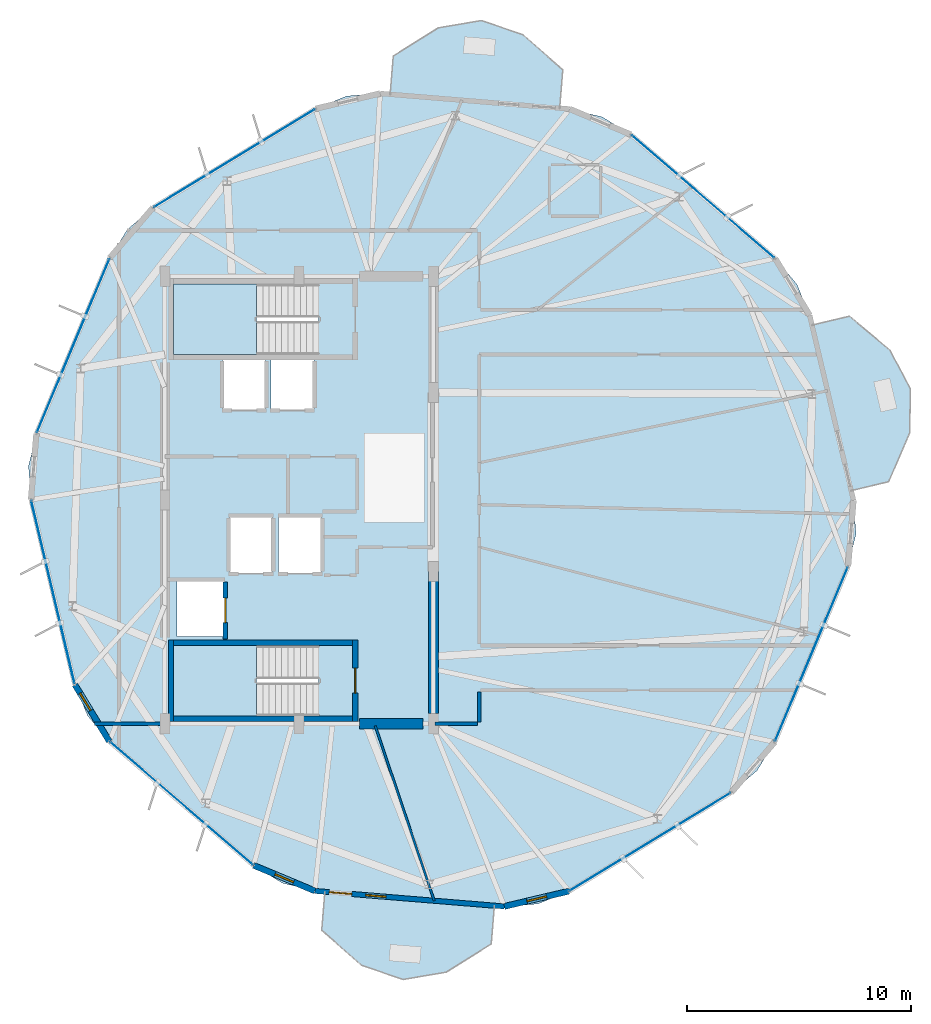
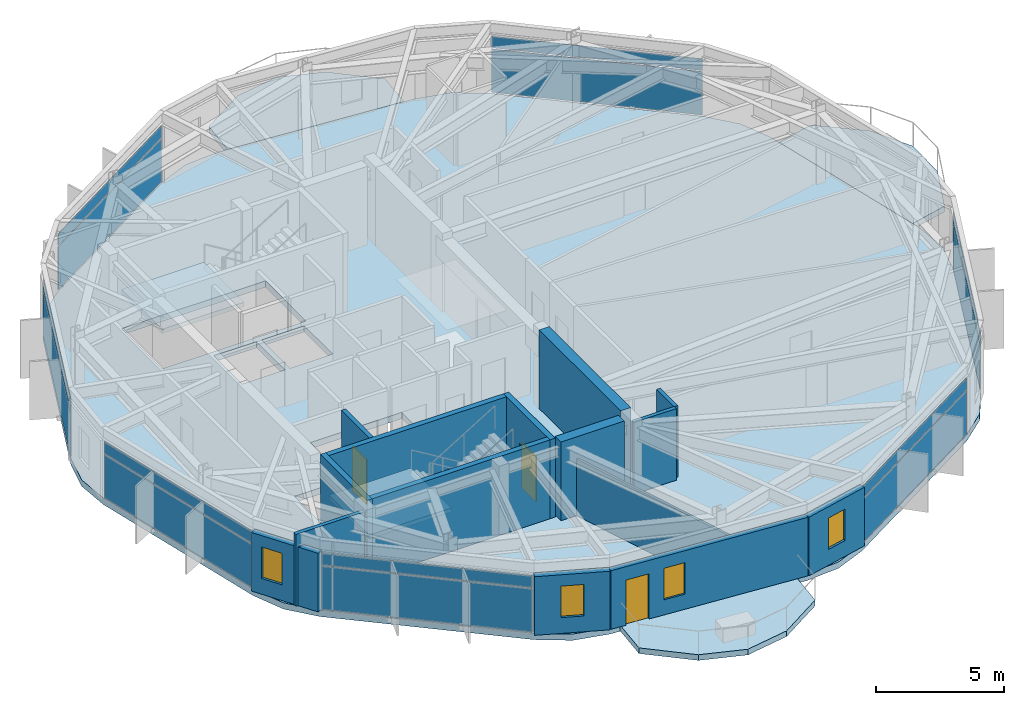
# One storey, part 17 of 23: 15 walls, 14 plates, 6 slabs, 4 windows, 3 doors, 7 openings, 9 elements without a shape of their own.
"""IFC4 building model written with IfcOpenShell, lengths in metres."""

from ifc_helpers import new_model, si_unit, direction, frame, frame_2d, origin, origin_2d, place, context, subcontext, project, spatial, polyline, rectangle, outline, extrude, material, layer, layer_set, type_object, element, fill, aggregate, save


model = new_model("IFC4")

# Units and contexts
model_context = context("Model", 3, precision=1e-05, world=origin(), true_north=direction((0.0, 1.0)))
body_context = subcontext(model_context, "Body", "Model", "MODEL_VIEW")
ifc_project = project(units=[si_unit("LENGTHUNIT", "METRE"), si_unit("AREAUNIT", "SQUARE_METRE"), si_unit("VOLUMEUNIT", "CUBIC_METRE"), si_unit("PLANEANGLEUNIT", "RADIAN"), si_unit("MASSUNIT", "GRAM", prefix="KILO")], contexts=[model_context])

# Site, building, storey
site_placement = place(None, origin())
site = spatial("IfcSite", under=ifc_project, at=site_placement, CompositionType="ELEMENT")
building_placement = place(site_placement, origin())
building = spatial("IfcBuilding", under=site, at=building_placement, Name="Soratama Intermodal Tower", CompositionType="ELEMENT")
storey_placement = place(building_placement, frame((0.0, 0.0, 280.0)))
storey = spatial("IfcBuildingStorey", under=building, at=storey_placement, Name="L71", CompositionType="ELEMENT", Elevation=280.0)

# Curtain wall, plates
ifc_material_1 = material(Name="Double-glazed aluminium curtain wall", Category="aluminium")
ifc_layer_1 = layer(ifc_material_1, 0.159912109375)
ifc_layer_set_1 = layer_set([ifc_layer_1], Name="Double-glazed aluminium curtain wall")
curtain_wall_type = type_object("IfcCurtainWallType", Name="CW-SYS-5", PredefinedType="NOTDEFINED", material=ifc_layer_set_1)
curtain_wall_1_placement = place(storey_placement, origin())
curtain_wall_1 = element("IfcCurtainWall", 1, at=curtain_wall_1_placement, inside=storey, type_object=curtain_wall_type, Name="L71 Faceted Curtain Wall F02", PredefinedType="NOTDEFINED")
ifc_material_2 = material(Name="Low-E laminated double glazing", Category="glass")
ifc_layer_2 = layer(ifc_material_2, 0.02001953125)
ifc_layer_set_2 = layer_set([ifc_layer_2], Name="Low-E laminated double glazing")
plate_type = type_object("IfcPlateType", Name="PT-CWP-5", PredefinedType="CURTAIN_PANEL", material=ifc_layer_set_2)
plate_1_placement = place(storey_placement, frame((35.705810546875, 40.2744140625, 0.06005859375), z_axis=(0.0, 0.0, 1.0), x_axis=(-0.854280104944, -0.519812949336, 0.0)))
plate_1 = element("IfcPlate", 2, at=plate_1_placement, type_object=plate_type, Name="CW-5 panel 1.1", PredefinedType="CURTAIN_PANEL", context=body_context, shape_type="SweptSolid", body=[
    extrude(rectangle(XDim=8.3798828125, YDim=0.028076171875, at=origin_2d()), origin(), (0.0, 0.0, 1.0), 2.06005859375),
])
plate_2_placement = place(storey_placement, frame((35.705810546875, 40.2744140625, 2.18017578125), z_axis=(0.0, 0.0, 1.0), x_axis=(-0.854280104944, -0.519812949336, 0.0)))
plate_2 = element("IfcPlate", 3, at=plate_2_placement, type_object=plate_type, Name="CW-5 panel 1.2", PredefinedType="CURTAIN_PANEL", context=body_context, shape_type="SweptSolid", body=[
    extrude(rectangle(XDim=8.3798828125, YDim=0.028076171875, at=origin_2d()), origin(), (0.0, 0.0, 1.0), 0.549072265625),
])
aggregate(curtain_wall_1, [plate_1, plate_2])

curtain_wall_2_placement = place(storey_placement, origin())
curtain_wall_2 = element("IfcCurtainWall", 4, at=curtain_wall_2_placement, inside=storey, type_object=curtain_wall_type, Name="L71 Faceted Curtain Wall F03", PredefinedType="NOTDEFINED")
plate_3_placement = place(storey_placement, frame((28.502685546875, 31.894287109375, 0.06005859375), z_axis=(0.0, 0.0, 1.0), x_axis=(-0.385582539838, -0.922673346842, 0.0)))
plate_3 = element("IfcPlate", 5, at=plate_3_placement, type_object=plate_type, Name="CW-5 panel 1.1", PredefinedType="CURTAIN_PANEL", context=body_context, shape_type="SweptSolid", body=[
    extrude(rectangle(XDim=8.3798828125, YDim=0.028076171875, at=origin_2d()), origin(), (0.0, 0.0, 1.0), 2.06005859375),
])
plate_4_placement = place(storey_placement, frame((28.502685546875, 31.894287109375, 2.18017578125), z_axis=(0.0, 0.0, 1.0), x_axis=(-0.385582539838, -0.922673346842, 0.0)))
plate_4 = element("IfcPlate", 6, at=plate_4_placement, type_object=plate_type, Name="CW-5 panel 1.2", PredefinedType="CURTAIN_PANEL", context=body_context, shape_type="SweptSolid", body=[
    extrude(rectangle(XDim=8.3798828125, YDim=0.028076171875, at=origin_2d()), origin(), (0.0, 0.0, 1.0), 0.549072265625),
])
aggregate(curtain_wall_2, [plate_3, plate_4])

curtain_wall_3_placement = place(storey_placement, origin())
curtain_wall_3 = element("IfcCurtainWall", 7, at=curtain_wall_3_placement, inside=storey, type_object=curtain_wall_type, Name="L71 Faceted Curtain Wall F04", PredefinedType="NOTDEFINED")
plate_5_placement = place(storey_placement, frame((27.60107421875, 20.880615234375, 0.06005859375), z_axis=(0.0, 0.0, 1.0), x_axis=(0.230394558711, -0.973097295915, 0.0)))
plate_5 = element("IfcPlate", 8, at=plate_5_placement, type_object=plate_type, Name="CW-5 panel 1.1", PredefinedType="CURTAIN_PANEL", context=body_context, shape_type="SweptSolid", body=[
    extrude(rectangle(XDim=8.3798828125, YDim=0.028076171875, at=origin_2d()), origin(), (0.0, 0.0, 1.0), 2.06005859375),
])
plate_6_placement = place(storey_placement, frame((27.60107421875, 20.880615234375, 2.18017578125), z_axis=(0.0, 0.0, 1.0), x_axis=(0.230394558711, -0.973097295915, 0.0)))
plate_6 = element("IfcPlate", 9, at=plate_6_placement, type_object=plate_type, Name="CW-5 panel 1.2", PredefinedType="CURTAIN_PANEL", context=body_context, shape_type="SweptSolid", body=[
    extrude(rectangle(XDim=8.3798828125, YDim=0.028076171875, at=origin_2d()), origin(), (0.0, 0.0, 1.0), 0.549072265625),
])
aggregate(curtain_wall_3, [plate_5, plate_6])

curtain_wall_4_placement = place(storey_placement, origin())
curtain_wall_4 = element("IfcCurtainWall", 10, at=curtain_wall_4_placement, inside=storey, type_object=curtain_wall_type, Name="L71 Faceted Curtain Wall F05", PredefinedType="NOTDEFINED")
plate_7_placement = place(storey_placement, frame((33.34521484375, 11.440673828125, 0.06005859375), z_axis=(0.0, 0.0, 1.0), x_axis=(0.758368958093, -0.651825531412, 0.0)))
plate_7 = element("IfcPlate", 11, at=plate_7_placement, type_object=plate_type, Name="CW-5 panel 1.1", PredefinedType="CURTAIN_PANEL", context=body_context, shape_type="SweptSolid", body=[
    extrude(rectangle(XDim=8.3798828125, YDim=0.028076171875, at=origin_2d()), origin(), (0.0, 0.0, 1.0), 2.06005859375),
])
plate_8_placement = place(storey_placement, frame((33.34521484375, 11.440673828125, 2.18017578125), z_axis=(0.0, 0.0, 1.0), x_axis=(0.758368958093, -0.651825531412, 0.0)))
plate_8 = element("IfcPlate", 12, at=plate_8_placement, type_object=plate_type, Name="CW-5 panel 1.2", PredefinedType="CURTAIN_PANEL", context=body_context, shape_type="SweptSolid", body=[
    extrude(rectangle(XDim=8.3798828125, YDim=0.028076171875, at=origin_2d()), origin(), (0.0, 0.0, 1.0), 0.549072265625),
])
aggregate(curtain_wall_4, [plate_7, plate_8])

curtain_wall_5_placement = place(storey_placement, origin())
curtain_wall_5 = element("IfcCurtainWall", 13, at=curtain_wall_5_placement, inside=storey, type_object=curtain_wall_type, Name="L71 Faceted Curtain Wall F07", PredefinedType="NOTDEFINED")
plate_9_placement = place(storey_placement, frame((54.294189453125, 9.7255859375, 0.06005859375), z_axis=(0.0, 0.0, 1.0), x_axis=(0.854280104944, 0.519812949336, 0.0)))
plate_9 = element("IfcPlate", 14, at=plate_9_placement, type_object=plate_type, Name="CW-5 panel 1.1", PredefinedType="CURTAIN_PANEL", context=body_context, shape_type="SweptSolid", body=[
    extrude(rectangle(XDim=8.3798828125, YDim=0.028076171875, at=origin_2d()), origin(), (0.0, 0.0, 1.0), 2.06005859375),
])
plate_10_placement = place(storey_placement, frame((54.294189453125, 9.7255859375, 2.18017578125), z_axis=(0.0, 0.0, 1.0), x_axis=(0.854280104944, 0.519812949336, 0.0)))
plate_10 = element("IfcPlate", 15, at=plate_10_placement, type_object=plate_type, Name="CW-5 panel 1.2", PredefinedType="CURTAIN_PANEL", context=body_context, shape_type="SweptSolid", body=[
    extrude(rectangle(XDim=8.3798828125, YDim=0.028076171875, at=origin_2d()), origin(), (0.0, 0.0, 1.0), 0.549072265625),
])
aggregate(curtain_wall_5, [plate_9, plate_10])

curtain_wall_6_placement = place(storey_placement, origin())
curtain_wall_6 = element("IfcCurtainWall", 16, at=curtain_wall_6_placement, inside=storey, type_object=curtain_wall_type, Name="L71 Faceted Curtain Wall F08", PredefinedType="NOTDEFINED")
plate_11_placement = place(storey_placement, frame((61.497314453125, 18.105712890625, 0.06005859375), z_axis=(0.0, 0.0, 1.0), x_axis=(0.385582539838, 0.922673346842, 0.0)))
plate_11 = element("IfcPlate", 17, at=plate_11_placement, type_object=plate_type, Name="CW-5 panel 1.1", PredefinedType="CURTAIN_PANEL", context=body_context, shape_type="SweptSolid", body=[
    extrude(rectangle(XDim=8.3798828125, YDim=0.028076171875, at=origin_2d()), origin(), (0.0, 0.0, 1.0), 2.06005859375),
])
plate_12_placement = place(storey_placement, frame((61.497314453125, 18.105712890625, 2.18017578125), z_axis=(0.0, 0.0, 1.0), x_axis=(0.385582539838, 0.922673346842, 0.0)))
plate_12 = element("IfcPlate", 18, at=plate_12_placement, type_object=plate_type, Name="CW-5 panel 1.2", PredefinedType="CURTAIN_PANEL", context=body_context, shape_type="SweptSolid", body=[
    extrude(rectangle(XDim=8.3798828125, YDim=0.028076171875, at=origin_2d()), origin(), (0.0, 0.0, 1.0), 0.549072265625),
])
aggregate(curtain_wall_6, [plate_11, plate_12])

curtain_wall_7_placement = place(storey_placement, origin())
curtain_wall_7 = element("IfcCurtainWall", 19, at=curtain_wall_7_placement, inside=storey, type_object=curtain_wall_type, Name="L71 Faceted Curtain Wall F10", PredefinedType="NOTDEFINED")
plate_13_placement = place(storey_placement, frame((56.65478515625, 38.559326171875, 0.06005859375), z_axis=(0.0, 0.0, 1.0), x_axis=(-0.758368958093, 0.651825531412, 0.0)))
plate_13 = element("IfcPlate", 20, at=plate_13_placement, type_object=plate_type, Name="CW-5 panel 1.1", PredefinedType="CURTAIN_PANEL", context=body_context, shape_type="SweptSolid", body=[
    extrude(rectangle(XDim=8.3798828125, YDim=0.028076171875, at=origin_2d()), origin(), (0.0, 0.0, 1.0), 2.06005859375),
])
plate_14_placement = place(storey_placement, frame((56.65478515625, 38.559326171875, 2.18017578125), z_axis=(0.0, 0.0, 1.0), x_axis=(-0.758368958093, 0.651825531412, 0.0)))
plate_14 = element("IfcPlate", 21, at=plate_14_placement, type_object=plate_type, Name="CW-5 panel 1.2", PredefinedType="CURTAIN_PANEL", context=body_context, shape_type="SweptSolid", body=[
    extrude(rectangle(XDim=8.3798828125, YDim=0.028076171875, at=origin_2d()), origin(), (0.0, 0.0, 1.0), 0.549072265625),
])
aggregate(curtain_wall_7, [plate_13, plate_14])

# Slabs
ifc_material_3 = material(Name="Concrete f'c 42 MPa", Category="concrete")
ifc_layer_3 = layer(ifc_material_3, 0.27001953125)
ifc_layer_set_3 = layer_set([ifc_layer_3], Name="Concrete f'c 42 MPa")
slab_type_1 = type_object("IfcSlabType", Name="SL-EXT-BAL1", PredefinedType="FLOOR", material=ifc_layer_set_3)
slab_1_placement = place(storey_placement, frame((0.0, 0.0, -0.27001953125)))
element("IfcSlab", 22, at=slab_1_placement, inside=storey, type_object=slab_type_1, Name="L71 Planted Balcony East 1", PredefinedType="FLOOR", context=body_context, shape_type="SweptSolid", body=[
    extrude(outline(polyline([(63.2744140625, 25.421630859375), (61.5234375, 32.81689453125), (63.197021484375, 33.21337890625), (65.011962890625, 31.6904296875), (65.92138671875, 29.953369140625), (65.887451171875, 27.992919921875), (64.947998046875, 25.818115234375), (63.2744140625, 25.421630859375)])), origin(), (0.0, 0.0, 1.0), 0.27001953125),
])
slab_2_placement = place(storey_placement, frame((0.0, 0.0, -0.27001953125)))
element("IfcSlab", 23, at=slab_2_placement, inside=storey, type_object=slab_type_1, Name="L71 Planted Balcony North 2", PredefinedType="FLOOR", context=body_context, shape_type="SweptSolid", body=[
    extrude(outline(polyline([(50.24609375, 42.51025390625), (42.671630859375, 43.13037109375), (42.81201171875, 44.844482421875), (44.821044921875, 46.10009765625), (46.754150390625, 46.42822265625), (48.6083984375, 45.7900390625), (50.386474609375, 44.224609375), (50.24609375, 42.51025390625)])), origin(), (0.0, 0.0, 1.0), 0.27001953125),
])
slab_3_placement = place(storey_placement, frame((0.0, 0.0, -0.27001953125)))
element("IfcSlab", 24, at=slab_3_placement, inside=storey, type_object=slab_type_1, Name="L71 Planted Balcony South 3", PredefinedType="FLOOR", context=body_context, shape_type="SweptSolid", body=[
    extrude(outline(polyline([(39.75390625, 7.48974609375), (47.328369140625, 6.86962890625), (47.18798828125, 5.155517578125), (45.178955078125, 3.89990234375), (43.245849609375, 3.57177734375), (41.3916015625, 4.2099609375), (39.613525390625, 5.775390625), (39.75390625, 7.48974609375)])), origin(), (0.0, 0.0, 1.0), 0.27001953125),
])

# Stair, slab
ifc_material_4 = material(Name="Concrete f'c 42 MPa", Category="concrete")
stair_type = type_object("IfcStairType", Name="ST-CORE-DOGLEG", PredefinedType="HALF_TURN_STAIR", material=ifc_material_4)
stair_1_placement = place(storey_placement, origin())
stair_1 = element("IfcStair", 25, at=stair_1_placement, inside=storey, type_object=stair_type, Name="L71 ST-1", PredefinedType="HALF_TURN_STAIR")
ifc_material_5 = material(Name="Concrete f'c 42 MPa", Category="concrete")
ifc_layer_4 = layer(ifc_material_5, 0.219970703125)
ifc_layer_set_4 = layer_set([ifc_layer_4], Name="Concrete f'c 42 MPa")
slab_type_2 = type_object("IfcSlabType", Name="SL-STAIR-LAND", PredefinedType="LANDING", material=ifc_layer_set_4)
slab_4_placement = place(storey_placement, frame((0.0, 0.0, 1.675048828125)))
slab_4 = element("IfcSlab", 26, at=slab_4_placement, type_object=slab_type_2, Name="ST-1 landing 1", PredefinedType="LANDING", context=body_context, shape_type="SweptSolid", body=[
    extrude(outline(polyline([(36.699951171875, 18.5), (33.0, 18.5), (33.0, 15.35009765625), (36.699951171875, 15.35009765625), (36.699951171875, 18.5)])), origin(), (0.0, 0.0, 1.0), 0.199951171875),
])
aggregate(stair_1, [slab_4])

stair_2_placement = place(storey_placement, origin())
stair_2 = element("IfcStair", 27, at=stair_2_placement, inside=storey, type_object=stair_type, Name="L71 ST-2", PredefinedType="HALF_TURN_STAIR")
slab_5_placement = place(storey_placement, frame((0.0, 0.0, 1.675048828125)))
slab_5 = element("IfcSlab", 28, at=slab_5_placement, type_object=slab_type_2, Name="ST-2 landing 1", PredefinedType="LANDING", context=body_context, shape_type="SweptSolid", body=[
    extrude(outline(polyline([(36.699951171875, 34.64990234375), (33.0, 34.64990234375), (33.0, 31.5), (36.699951171875, 31.5), (36.699951171875, 34.64990234375)])), origin(), (0.0, 0.0, 1.0), 0.199951171875),
])
aggregate(stair_2, [slab_5])

# Slab
ifc_material_6 = material(Name="Concrete f'c 42 MPa", Category="concrete")
ifc_layer_5 = layer(ifc_material_6, 0.280029296875)
ifc_layer_set_5 = layer_set([ifc_layer_5], Name="Concrete f'c 42 MPa")
slab_type_3 = type_object("IfcSlabType", Name="SL-TWR-280", PredefinedType="FLOOR", material=ifc_layer_set_5)
slab_6_placement = place(storey_placement, frame((0.0, 0.0, -0.300048828125)))
element("IfcSlab", 29, at=slab_6_placement, inside=storey, type_object=slab_type_3, Name="L71 Structural Floor Slab", PredefinedType="FLOOR", context=body_context, shape_type="SweptSolid", body=[
    extrude(outline(polyline([(53.431640625, 41.32958984375), (52.15380859375, 42.118408203125), (50.694580078125, 42.473388671875), (42.22314453125, 43.1669921875), (40.7255859375, 43.053955078125), (39.336181640625, 42.4833984375), (32.0751953125, 38.065185546875), (30.93017578125, 37.093505859375), (30.141357421875, 35.8154296875), (26.864013671875, 27.972900390625), (26.5087890625, 26.513671875), (26.6220703125, 25.01611328125), (28.580322265625, 16.7451171875), (29.150634765625, 15.355712890625), (30.122314453125, 14.210693359375), (36.568359375, 8.67041015625), (37.84619140625, 7.881591796875), (39.305419921875, 7.526611328125), (47.77685546875, 6.8330078125), (49.2744140625, 6.946044921875), (50.663818359375, 7.5166015625), (57.9248046875, 11.934814453125), (59.06982421875, 12.906494140625), (59.858642578125, 14.1845703125), (63.135986328125, 22.027099609375), (63.4912109375, 23.486328125), (63.3779296875, 24.98388671875), (61.419677734375, 33.2548828125), (60.849365234375, 34.644287109375), (59.877685546875, 35.789306640625), (53.431640625, 41.32958984375)]), holes=[polyline([(33.0, 15.35009765625), (39.47509765625, 15.35009765625), (39.47509765625, 18.5), (33.0, 18.5), (33.0, 15.35009765625)]), polyline([(35.260009765625, 21.409912109375), (33.139892578125, 21.409912109375), (33.139892578125, 18.889892578125), (35.260009765625, 18.889892578125), (35.260009765625, 21.409912109375)]), polyline([(37.409912109375, 24.260009765625), (35.489990234375, 24.260009765625), (35.489990234375, 21.739990234375), (37.409912109375, 21.739990234375), (37.409912109375, 24.260009765625)]), polyline([(39.610107421875, 24.260009765625), (37.68994140625, 24.260009765625), (37.68994140625, 21.739990234375), (39.610107421875, 21.739990234375), (39.610107421875, 24.260009765625)]), polyline([(37.110107421875, 31.260009765625), (35.18994140625, 31.260009765625), (35.18994140625, 29.0400390625), (37.110107421875, 29.0400390625), (37.110107421875, 31.260009765625)]), polyline([(39.260009765625, 31.260009765625), (37.340087890625, 31.260009765625), (37.340087890625, 29.0400390625), (39.260009765625, 29.0400390625), (39.260009765625, 31.260009765625)]), polyline([(33.0, 34.64990234375), (33.0, 31.5), (39.47509765625, 31.5), (39.47509765625, 34.64990234375), (33.0, 34.64990234375)])]), origin(), (0.0, 0.0, 1.0), 0.300048828125),
])

# Wall, openings, door, window
ifc_material_7 = material(Name="Concrete f'c 42 MPa", Category="concrete")
ifc_layer_6 = layer(ifc_material_7, 0.22998046875)
ifc_layer_set_6 = layer_set([ifc_layer_6], Name="Concrete f'c 42 MPa")
wall_type_1 = type_object("IfcWallType", Name="EW-BAL-230", PredefinedType="SOLIDWALL", material=ifc_layer_set_6)
wall_1_placement = place(storey_placement, frame((39.305419921875, 7.526611328125, 0.0), z_axis=(0.0, 0.0, 1.0), x_axis=(0.996664954759, -0.081602499682, 0.0)))
wall_1 = element("IfcWall", 30, at=wall_1_placement, inside=storey, type_object=wall_type_1, Name="L71 Terrace Wall F06", PredefinedType="SOLIDWALL", context=body_context, shape_type="SweptSolid", body=[
    extrude(rectangle(XDim=8.499755859375, YDim=0.22998046875, at=frame_2d((4.25, 0.0))), origin(), (0.0, 0.0, 1.0), 2.7890625),
])
opening_1_placement = place(wall_1_placement, frame((0.64990234375, 0.0, 0.0)))
opening_1 = element("IfcOpeningElement", 31, at=opening_1_placement, cuts=wall_1, Name="Opening ED-2", PredefinedType="OPENING", context=body_context, shape_type="SweptSolid", body=[
    extrude(rectangle(XDim=1.0, YDim=2.14990234375, at=frame_2d((0.5, 1.074951171875))), frame((0.0, 0.125, 0.0), z_axis=(0.0, -1.0, 0.0), x_axis=(1.0, 0.0, 0.0)), (0.0, 0.0, 1.0), 0.25),
])
opening_2_placement = place(wall_1_placement, frame((2.2900390625, 0.0, 0.719970703125)))
opening_2 = element("IfcOpeningElement", 32, at=opening_2_placement, cuts=wall_1, Name="Opening WN-6", PredefinedType="OPENING", context=body_context, shape_type="SweptSolid", body=[
    extrude(rectangle(XDim=0.89990234375, YDim=1.5, at=frame_2d((0.449951171875, 0.75))), frame((0.0, 0.125, 0.0), z_axis=(0.0, -1.0, 0.0), x_axis=(1.0, 0.0, 0.0)), (0.0, 0.0, 1.0), 0.25),
])
ifc_material_8 = material(Name="Double-glazed aluminium door", Category="aluminium")
door_type_1 = type_object("IfcDoorType", Name="DR-BAL-1000", OperationType="NOTDEFINED", PredefinedType="DOOR", material=ifc_material_8)
door_1_placement = place(opening_1_placement, origin())
door_1 = element("IfcDoor", 33, at=door_1_placement, inside=storey, type_object=door_type_1, Name="L71 Balcony Door F06", OperationType="SINGLE_SWING_RIGHT", OverallHeight=2.14990234375, OverallWidth=1.0, PredefinedType="DOOR", context=body_context, shape_type="SweptSolid", body=[
    extrude(rectangle(XDim=1.0, YDim=2.14990234375, at=frame_2d((0.5, 1.074951171875))), frame((0.0, 0.02490234375, 0.0), z_axis=(0.0, -1.0, 0.0), x_axis=(1.0, 0.0, 0.0)), (0.0, 0.0, 1.0), 0.050048828125),
])
fill(opening_1, door_1)
ifc_material_9 = material(Name="Double-glazed aluminium window", Category="aluminium")
window_type = type_object("IfcWindowType", Name="WN-FAC-900", PartitioningType="SINGLE_PANEL", PredefinedType="WINDOW", material=ifc_material_9)
window_1_placement = place(opening_2_placement, origin())
window_1 = element("IfcWindow", 34, at=window_1_placement, inside=storey, type_object=window_type, Name="L71 Window B F06", OverallHeight=1.5, OverallWidth=0.89990234375, PartitioningType="SINGLE_PANEL", PredefinedType="WINDOW", context=body_context, shape_type="SweptSolid", body=[
    extrude(rectangle(XDim=0.89990234375, YDim=1.5, at=frame_2d((0.449951171875, 0.75))), frame((0.0, 0.030029296875, 0.0), z_axis=(0.0, -1.0, 0.0), x_axis=(1.0, 0.0, 0.0)), (0.0, 0.0, 1.0), 0.06005859375),
])
fill(opening_2, window_1)

# Wall, opening, window
ifc_material_10 = material(Name="Concrete f'c 42 MPa", Category="concrete")
ifc_layer_7 = layer(ifc_material_10, 0.27001953125)
ifc_layer_set_7 = layer_set([ifc_layer_7], Name="Concrete f'c 42 MPa")
wall_type_2 = type_object("IfcWallType", Name="EW-CRN-270", PredefinedType="SOLIDWALL", material=ifc_layer_set_7)
wall_2_placement = place(storey_placement, frame((28.580322265625, 16.7451171875, 0.0), z_axis=(0.0, 0.0, 1.0), x_axis=(0.51977462781, -0.854303421675, 0.0)))
wall_2 = element("IfcWall", 35, at=wall_2_placement, inside=storey, type_object=wall_type_2, Name="L71 Corner Closure Wall 04", PredefinedType="SOLIDWALL", context=body_context, shape_type="SweptSolid", body=[
    extrude(rectangle(XDim=2.966552734375, YDim=0.27001953125, at=frame_2d((1.4833984375, 0.0))), origin(), (0.0, 0.0, 1.0), 2.7890625),
])
opening_3_placement = place(wall_2_placement, frame((0.449951171875, 0.0, 0.75)))
opening_3 = element("IfcOpeningElement", 36, at=opening_3_placement, cuts=wall_2, Name="Opening WN-6", PredefinedType="OPENING", context=body_context, shape_type="SweptSolid", body=[
    extrude(rectangle(XDim=0.89990234375, YDim=1.5, at=frame_2d((0.449951171875, 0.75))), frame((0.0, 0.14501953125, 0.0), z_axis=(0.0, -1.0, 0.0), x_axis=(1.0, 0.0, 0.0)), (0.0, 0.0, 1.0), 0.2900390625),
])
window_2_placement = place(opening_3_placement, origin())
window_2 = element("IfcWindow", 37, at=window_2_placement, inside=storey, type_object=window_type, Name="L71 Corner Window 04", OverallHeight=1.5, OverallWidth=0.89990234375, PartitioningType="SINGLE_PANEL", PredefinedType="WINDOW", context=body_context, shape_type="SweptSolid", body=[
    extrude(rectangle(XDim=0.89990234375, YDim=1.5, at=frame_2d((0.449951171875, 0.75))), frame((0.0, 0.030029296875, 0.0), z_axis=(0.0, -1.0, 0.0), x_axis=(1.0, 0.0, 0.0)), (0.0, 0.0, 1.0), 0.06005859375),
])
fill(opening_3, window_2)

wall_3_placement = place(storey_placement, frame((36.568359375, 8.67041015625, 0.0), z_axis=(0.0, 0.0, 1.0), x_axis=(0.922674655035, -0.385579409405, 0.0)))
wall_3 = element("IfcWall", 38, at=wall_3_placement, inside=storey, type_object=wall_type_2, Name="L71 Corner Closure Wall 05", PredefinedType="SOLIDWALL", context=body_context, shape_type="SweptSolid", body=[
    extrude(rectangle(XDim=2.966552734375, YDim=0.27001953125, at=frame_2d((1.4833984375, 0.0))), origin(), (0.0, 0.0, 1.0), 2.7890625),
])
opening_4_placement = place(wall_3_placement, frame((1.033203125, 0.0, 0.75)))
opening_4 = element("IfcOpeningElement", 39, at=opening_4_placement, cuts=wall_3, Name="Opening WN-6", PredefinedType="OPENING", context=body_context, shape_type="SweptSolid", body=[
    extrude(rectangle(XDim=0.89990234375, YDim=1.5, at=frame_2d((0.449951171875, 0.75))), frame((0.0, 0.14501953125, 0.0), z_axis=(0.0, -1.0, 0.0), x_axis=(1.0, 0.0, 0.0)), (0.0, 0.0, 1.0), 0.2900390625),
])
window_3_placement = place(opening_4_placement, origin())
window_3 = element("IfcWindow", 40, at=window_3_placement, inside=storey, type_object=window_type, Name="L71 Corner Window 05", OverallHeight=1.5, OverallWidth=0.89990234375, PartitioningType="SINGLE_PANEL", PredefinedType="WINDOW", context=body_context, shape_type="SweptSolid", body=[
    extrude(rectangle(XDim=0.89990234375, YDim=1.5, at=frame_2d((0.449951171875, 0.75))), frame((0.0, 0.030029296875, 0.0), z_axis=(0.0, -1.0, 0.0), x_axis=(1.0, 0.0, 0.0)), (0.0, 0.0, 1.0), 0.06005859375),
])
fill(opening_4, window_3)

wall_4_placement = place(storey_placement, frame((47.77685546875, 6.8330078125, 0.0), z_axis=(0.0, 0.0, 1.0), x_axis=(0.973092427452, 0.230415120242, 0.0)))
wall_4 = element("IfcWall", 41, at=wall_4_placement, inside=storey, type_object=wall_type_2, Name="L71 Corner Closure Wall 06", PredefinedType="SOLIDWALL", context=body_context, shape_type="SweptSolid", body=[
    extrude(rectangle(XDim=2.966796875, YDim=0.27001953125, at=frame_2d((1.4833984375, 0.0))), origin(), (0.0, 0.0, 1.0), 2.7890625),
])
opening_5_placement = place(wall_4_placement, frame((1.033203125, 0.0, 0.75)))
opening_5 = element("IfcOpeningElement", 42, at=opening_5_placement, cuts=wall_4, Name="Opening WN-6", PredefinedType="OPENING", context=body_context, shape_type="SweptSolid", body=[
    extrude(rectangle(XDim=0.89990234375, YDim=1.5, at=frame_2d((0.449951171875, 0.75))), frame((0.0, 0.14501953125, 0.0), z_axis=(0.0, -1.0, 0.0), x_axis=(1.0, 0.0, 0.0)), (0.0, 0.0, 1.0), 0.2900390625),
])
window_4_placement = place(opening_5_placement, origin())
window_4 = element("IfcWindow", 43, at=window_4_placement, inside=storey, type_object=window_type, Name="L71 Corner Window 06", OverallHeight=1.5, OverallWidth=0.89990234375, PartitioningType="SINGLE_PANEL", PredefinedType="WINDOW", context=body_context, shape_type="SweptSolid", body=[
    extrude(rectangle(XDim=0.89990234375, YDim=1.5, at=frame_2d((0.449951171875, 0.75))), frame((0.0, 0.030029296875, 0.0), z_axis=(0.0, -1.0, 0.0), x_axis=(1.0, 0.0, 0.0)), (0.0, 0.0, 1.0), 0.06005859375),
])
fill(opening_5, window_4)

# Walls
ifc_material_11 = material(Name="Fire-rated gypsum stud partition", Category="concrete")
ifc_layer_8 = layer(ifc_material_11, 0.169921875)
ifc_layer_set_8 = layer_set([ifc_layer_8], Name="Fire-rated gypsum stud partition")
wall_type_3 = type_object("IfcWallType", Name="IW-PART-R170", PredefinedType="PARTITIONING", material=ifc_layer_set_8)
wall_5_placement = place(storey_placement, frame((32.530029296875, 15.0, 0.0), z_axis=(0.0, 0.0, 1.0), x_axis=(-1.0, 0.0, 0.0)))
element("IfcWall", 44, at=wall_5_placement, inside=storey, type_object=wall_type_3, Name="L71 Partition W-L71-TP019", PredefinedType="PARTITIONING", context=body_context, shape_type="SweptSolid", body=[
    extrude(rectangle(XDim=3.0771484375, YDim=0.169921875, at=frame_2d((1.53857421875, 0.0))), origin(), (0.0, 0.0, 1.0), 3.409912109375),
])
wall_6_placement = place(storey_placement, frame((46.580078125, 15.0, 0.0), z_axis=(0.0, 0.0, 1.0), x_axis=(-1.0, 0.0, 0.0)))
element("IfcWall", 45, at=wall_6_placement, inside=storey, type_object=wall_type_3, Name="L71 Partition W-L71-TP029", PredefinedType="PARTITIONING", context=body_context, shape_type="SweptSolid", body=[
    extrude(rectangle(XDim=1.91015625, YDim=0.169921875, at=frame_2d((0.955078125, 0.0))), origin(), (0.0, 0.0, 1.0), 3.409912109375),
])
wall_7_placement = place(storey_placement, frame((46.64990234375, 16.429931640625, 0.0), z_axis=(0.0, 0.0, 1.0), x_axis=(0.0, -1.0, 0.0)))
element("IfcWall", 46, at=wall_7_placement, inside=storey, type_object=wall_type_3, Name="L71 Partition W-L71-TP034", PredefinedType="PARTITIONING", context=body_context, shape_type="SweptSolid", body=[
    extrude(rectangle(XDim=1.35986328125, YDim=0.169921875, at=frame_2d((0.679931640625, 0.0))), origin(), (0.0, 0.0, 1.0), 3.409912109375),
])
ifc_material_12 = material(Name="Fire-rated gypsum stud partition", Category="concrete")
ifc_layer_9 = layer(ifc_material_12, 0.10009765625)
ifc_layer_set_9 = layer_set([ifc_layer_9], Name="Fire-rated gypsum stud partition")
wall_type_4 = type_object("IfcWallType", Name="IW-PART-S100", PredefinedType="PARTITIONING", material=ifc_layer_set_9)
wall_8_placement = place(storey_placement, frame((42.0048828125, 14.907958984375, 0.0), z_axis=(0.0, 0.0, 1.0), x_axis=(0.31974079099, -0.947505053589, 0.0)))
element("IfcWall", 47, at=wall_8_placement, inside=storey, type_object=wall_type_4, Name="L71 Partition W-L71-TP011", PredefinedType="PARTITIONING", context=body_context, shape_type="SweptSolid", body=[
    extrude(rectangle(XDim=8.2509765625, YDim=0.10009765625, at=frame_2d((4.12548828125, 0.0))), origin(), (0.0, 0.0, 1.0), 2.705078125),
])

# Wall, opening, door
ifc_material_13 = material(Name="Concrete f'c 42 MPa", Category="concrete")
ifc_layer_10 = layer(ifc_material_13, 0.18505859375)
ifc_layer_set_10 = layer_set([ifc_layer_10], Name="Concrete f'c 42 MPa")
wall_type_5 = type_object("IfcWallType", Name="IW-SHAFT-185", PredefinedType="SOLIDWALL", material=ifc_layer_set_10)
wall_9_placement = place(storey_placement, frame((35.300048828125, 18.7900390625, 0.0), z_axis=(0.0, 0.0, 1.0), x_axis=(0.0, 1.0, 0.0)))
wall_9 = element("IfcWall", 48, at=wall_9_placement, inside=storey, type_object=wall_type_5, Name="L71 SVL-1 Hoistway Wall E", PredefinedType="SOLIDWALL", context=body_context, shape_type="SweptSolid", body=[
    extrude(rectangle(XDim=2.550048828125, YDim=0.18505859375, at=frame_2d((1.27490234375, 0.0))), origin(), (0.0, 0.0, 1.0), 3.409912109375),
])
opening_6_placement = place(wall_9_placement, frame((0.72509765625, 0.0, 0.0)))
opening_6 = element("IfcOpeningElement", 49, at=opening_6_placement, cuts=wall_9, Name="Opening LD-1", PredefinedType="OPENING", context=body_context, shape_type="SweptSolid", body=[
    extrude(rectangle(XDim=1.10009765625, YDim=2.14990234375, at=frame_2d((0.550048828125, 1.074951171875))), frame((0.0, 0.1025390625, 0.0), z_axis=(0.0, -1.0, 0.0), x_axis=(1.0, 0.0, 0.0)), (0.0, 0.0, 1.0), 0.205078125),
])
ifc_material_14 = material(Name="Steel fire door", Category="steel")
door_type_2 = type_object("IfcDoorType", Name="DR-LIFT-SLIDE", OperationType="NOTDEFINED", PredefinedType="DOOR", material=ifc_material_14)
door_2_placement = place(opening_6_placement, origin())
door_2 = element("IfcDoor", 50, at=door_2_placement, inside=storey, type_object=door_type_2, Name="L71 SVL-1 Sliding Landing Door", OperationType="SLIDING_TO_LEFT", OverallHeight=2.14990234375, OverallWidth=1.10009765625, PredefinedType="DOOR", context=body_context, shape_type="SweptSolid", body=[
    extrude(rectangle(XDim=1.10009765625, YDim=2.14990234375, at=frame_2d((0.550048828125, 1.074951171875))), frame((0.0, 0.02490234375, 0.0), z_axis=(0.0, -1.0, 0.0), x_axis=(1.0, 0.0, 0.0)), (0.0, 0.0, 1.0), 0.050048828125),
])
fill(opening_6, door_2)

# Walls
ifc_material_15 = material(Name="Concrete f'c 56 MPa", Category="concrete")
ifc_layer_11 = layer(ifc_material_15, 0.449951171875)
ifc_layer_set_11 = layer_set([ifc_layer_11], Name="Concrete f'c 56 MPa")
wall_type_6 = type_object("IfcWallType", Name="SW-CORE-450", PredefinedType="SHEAR", material=ifc_layer_set_11)
wall_10_placement = place(storey_placement, frame((41.300048828125, 15.0, 0.0), z_axis=(0.0, 0.0, 1.0), x_axis=(1.0, 0.0, 0.0)))
element("IfcWall", 51, at=wall_10_placement, inside=storey, type_object=wall_type_6, Name="L71 Core Shear Wall CW-SE", PredefinedType="SHEAR", context=body_context, shape_type="SweptSolid", body=[
    extrude(rectangle(XDim=2.849853515625, YDim=0.449951171875, at=frame_2d((1.4248046875, 0.0))), origin(), (0.0, 0.0, 1.0), 3.75),
])
wall_11_placement = place(storey_placement, frame((44.60009765625, 15.449951171875, 0.0), z_axis=(0.0, 0.0, 1.0), x_axis=(0.0, 1.0, 0.0)))
element("IfcWall", 52, at=wall_11_placement, inside=storey, type_object=wall_type_6, Name="L71 Core Shear Wall CW-ES", PredefinedType="SHEAR", context=body_context, shape_type="SweptSolid", body=[
    extrude(rectangle(XDim=6.35009765625, YDim=0.449951171875, at=frame_2d((3.175048828125, 0.0))), origin(), (0.0, 0.0, 1.0), 3.75),
])
ifc_material_16 = material(Name="Concrete f'c 56 MPa", Category="concrete")
ifc_layer_12 = layer(ifc_material_16, 0.239990234375)
ifc_layer_set_12 = layer_set([ifc_layer_12], Name="Concrete f'c 56 MPa")
wall_type_7 = type_object("IfcWallType", Name="SW-STAIR-240", PredefinedType="SHEAR", material=ifc_layer_set_12)
wall_12_placement = place(storey_placement, frame((32.8798828125, 15.110107421875, 0.0), z_axis=(0.0, 0.0, 1.0), x_axis=(0.0, 1.0, 0.0)))
element("IfcWall", 53, at=wall_12_placement, inside=storey, type_object=wall_type_7, Name="L71 ST-1 Shaft Shear Wall W", PredefinedType="SHEAR", context=body_context, shape_type="SweptSolid", body=[
    extrude(rectangle(XDim=3.6298828125, YDim=0.239990234375, at=frame_2d((1.81494140625, 0.0))), origin(), (0.0, 0.0, 1.0), 3.75),
])

# Wall, opening, door
wall_13_placement = place(storey_placement, frame((41.1201171875, 15.110107421875, 0.0), z_axis=(0.0, 0.0, 1.0), x_axis=(0.0, 1.0, 0.0)))
wall_13 = element("IfcWall", 54, at=wall_13_placement, inside=storey, type_object=wall_type_7, Name="L71 ST-1 Shaft Shear Wall E", PredefinedType="SHEAR", context=body_context, shape_type="SweptSolid", body=[
    extrude(rectangle(XDim=3.6298828125, YDim=0.239990234375, at=frame_2d((1.81494140625, 0.0))), origin(), (0.0, 0.0, 1.0), 3.75),
])
opening_7_placement = place(wall_13_placement, frame((1.2548828125, 0.0, 0.0)))
opening_7 = element("IfcOpeningElement", 55, at=opening_7_placement, cuts=wall_13, Name="Opening SD-1", PredefinedType="OPENING", context=body_context, shape_type="SweptSolid", body=[
    extrude(rectangle(XDim=1.1201171875, YDim=2.14990234375, at=frame_2d((0.56005859375, 1.074951171875))), frame((0.0, 0.1298828125, 0.0), z_axis=(0.0, -1.0, 0.0), x_axis=(1.0, 0.0, 0.0)), (0.0, 0.0, 1.0), 0.260009765625),
])
ifc_material_17 = material(Name="Steel fire door", Category="steel")
door_type_3 = type_object("IfcDoorType", Name="DR-STAIR-FD90", OperationType="NOTDEFINED", PredefinedType="DOOR", material=ifc_material_17)
door_3_placement = place(opening_7_placement, origin())
door_3 = element("IfcDoor", 56, at=door_3_placement, inside=storey, type_object=door_type_3, Name="L71 ST-1 Exit Stair Door", OperationType="SINGLE_SWING_LEFT", OverallHeight=2.14990234375, OverallWidth=1.1201171875, PredefinedType="DOOR", context=body_context, shape_type="SweptSolid", body=[
    extrude(rectangle(XDim=1.1201171875, YDim=2.14990234375, at=frame_2d((0.56005859375, 1.074951171875))), frame((0.0, 0.02490234375, 0.0), z_axis=(0.0, -1.0, 0.0), x_axis=(1.0, 0.0, 0.0)), (0.0, 0.0, 1.0), 0.050048828125),
])
fill(opening_7, door_3)

# Walls
for number, where, z_axis, x_axis, name in (
    (57, (33.0, 15.22998046875, 0.0), (0.0, 0.0, 1.0), (1.0, 0.0, 0.0), "L71 ST-1 Shaft Shear Wall S"),
    (58, (33.0, 18.6201171875, 0.0), (0.0, 0.0, 1.0), (1.0, 0.0, 0.0), "L71 ST-1 Shaft Shear Wall N"),
):
    element("IfcWall", number, at=place(storey_placement, frame(where, z_axis=z_axis, x_axis=x_axis)), inside=storey, type_object=wall_type_7, Name=name, PredefinedType="SHEAR", context=body_context, shape_type="SweptSolid", body=[
        extrude(rectangle(XDim=8.0, YDim=0.239990234375, at=frame_2d((4.0, 0.0))), origin(), (0.0, 0.0, 1.0), 3.75),
    ])

save(model, "model.ifc")
